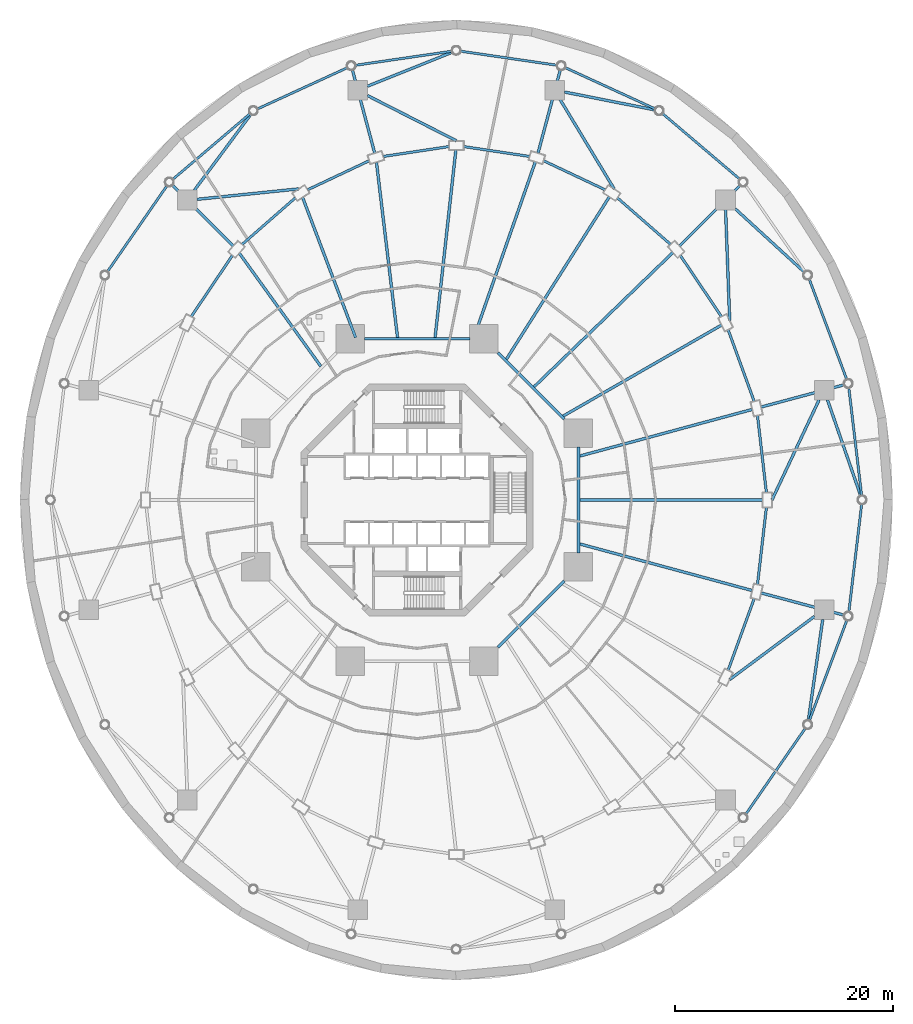
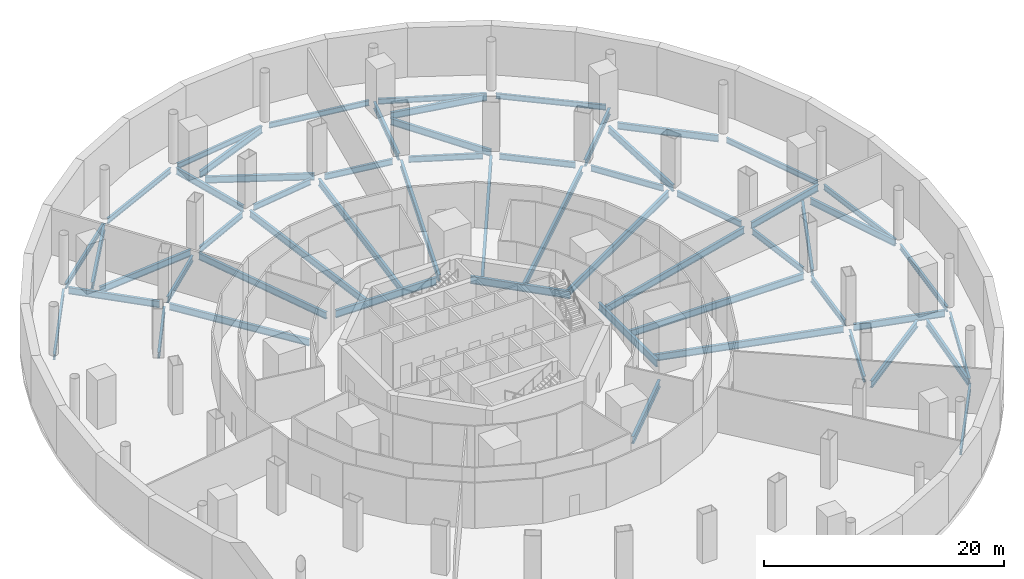
# One storey, part 4 of 14: 57 beams.
"""IFC4 building model written with IfcOpenShell, lengths in metres."""

from ifc_helpers import new_model, si_unit, direction, frame, origin, origin_2d, place, context, subcontext, project, spatial, i_section, extrude, material, material_profile, profile_set, type_object, element, save


model = new_model("IFC4")

# Units and contexts
model_context = context("Model", 3, precision=1e-05, world=origin(), true_north=direction((0.0, 1.0)))
body_context = subcontext(model_context, "Body", "Model", "MODEL_VIEW")
ifc_project = project(units=[si_unit("LENGTHUNIT", "METRE"), si_unit("AREAUNIT", "SQUARE_METRE"), si_unit("VOLUMEUNIT", "CUBIC_METRE"), si_unit("PLANEANGLEUNIT", "RADIAN"), si_unit("MASSUNIT", "GRAM", prefix="KILO")], contexts=[model_context])

# Site, building, storey
site_placement = place(None, origin())
site = spatial("IfcSite", under=ifc_project, at=site_placement, CompositionType="ELEMENT")
building_placement = place(site_placement, origin())
building = spatial("IfcBuilding", under=site, at=building_placement, Name="Nagisa Residences", CompositionType="ELEMENT")
storey_placement = place(building_placement, frame((0.0, 0.0, -5.0)))
storey = spatial("IfcBuildingStorey", under=building, at=storey_placement, Name="B1", CompositionType="ELEMENT", Elevation=-5.0)

# Beams
ifc_material_1 = material(Name="Steel ASTM A572 Gr 50", Category="steel")
ifc_material_profile_1 = material_profile(ifc_material_1, i_section(OverallWidth=0.2529296875, OverallDepth=0.677978515625, WebThickness=0.01171875, FlangeThickness=0.016357421875, at=origin_2d()), Name="W690x125")
ifc_profile_set_1 = profile_set([ifc_material_profile_1], Name="Steel ASTM A572 Gr 50")
beam_type_1 = type_object("IfcBeamType", Name="Atrium outer beam W690x125", PredefinedType="BEAM", material=ifc_profile_set_1)
beam_1_placement = place(storey_placement, frame((32.530029296875, 0.0, -0.739013671875), z_axis=(0.425917471077, 0.904762017235, 0.0), x_axis=(-0.904762017235, 0.425917471077, 0.0)))
element("IfcBeam", 1, at=beam_1_placement, inside=storey, type_object=beam_type_1, Name="beam:B1:er01a", PredefinedType="BEAM", context=body_context, shape_type="SweptSolid", body=[
    extrude(i_section(OverallWidth=0.2529296875, OverallDepth=0.677978515625, WebThickness=0.01171875, FlangeThickness=0.016357421875, at=origin_2d()), origin(), (0.0, 0.0, 1.0), 10.15283203125),
])
beam_2_placement = place(storey_placement, frame((37.6162109375, 9.18701171875, -0.739013671875), z_axis=(0.327439256124, -0.944872231336, 0.0), x_axis=(0.944872231336, 0.327439256124, 0.0)))
element("IfcBeam", 2, at=beam_2_placement, inside=storey, type_object=beam_type_1, Name="beam:B1:er01b", PredefinedType="BEAM", context=body_context, shape_type="SweptSolid", body=[
    extrude(i_section(OverallWidth=0.2529296875, OverallDepth=0.677978515625, WebThickness=0.01171875, FlangeThickness=0.016357421875, at=origin_2d()), origin(), (0.0, 0.0, 1.0), 9.33642578125),
])
beam_3_placement = place(storey_placement, frame((31.54443359375, 8.52294921875, -0.739013671875), z_axis=(0.965928422324, 0.258809356376, 0.0), x_axis=(-0.258809356376, 0.965928422324, 0.0)))
element("IfcBeam", 3, at=beam_3_placement, inside=storey, type_object=beam_type_1, Name="beam:B1:er02", PredefinedType="BEAM", context=body_context, shape_type="SweptSolid", body=[
    extrude(i_section(OverallWidth=0.2529296875, OverallDepth=0.677978515625, WebThickness=0.01171875, FlangeThickness=0.016357421875, at=origin_2d()), origin(), (0.0, 0.0, 1.0), 7.88330078125),
])
beam_4_placement = place(storey_placement, frame((28.65478515625, 16.46533203125, -0.739013671875), z_axis=(-0.037024093308, 0.999314373215, 0.0), x_axis=(-0.999314373215, -0.037024093308, 0.0)))
element("IfcBeam", 4, at=beam_4_placement, inside=storey, type_object=beam_type_1, Name="beam:B1:er03a", PredefinedType="BEAM", context=body_context, shape_type="SweptSolid", body=[
    extrude(i_section(OverallWidth=0.2529296875, OverallDepth=0.677978515625, WebThickness=0.01171875, FlangeThickness=0.016357421875, at=origin_2d()), origin(), (0.0, 0.0, 1.0), 10.168212890625),
])
beam_5_placement = place(storey_placement, frame((29.163330078125, 26.6953125, -0.739013671875), z_axis=(0.737328953927, -0.675533873097, 0.0), x_axis=(0.675533873097, 0.737328953927, 0.0)))
element("IfcBeam", 5, at=beam_5_placement, inside=storey, type_object=beam_type_1, Name="beam:B1:er03b", PredefinedType="BEAM", context=body_context, shape_type="SweptSolid", body=[
    extrude(i_section(OverallWidth=0.2529296875, OverallDepth=0.677978515625, WebThickness=0.01171875, FlangeThickness=0.016357421875, at=origin_2d()), origin(), (0.0, 0.0, 1.0), 8.636474609375),
])
beam_6_placement = place(storey_placement, frame((24.057373046875, 23.28564453125, -0.739013671875), z_axis=(0.707091295005, 0.707122267029, 0.0), x_axis=(-0.707122267029, 0.707091295005, 0.0)))
element("IfcBeam", 6, at=beam_6_placement, inside=storey, type_object=beam_type_1, Name="beam:B1:er04", PredefinedType="BEAM", context=body_context, shape_type="SweptSolid", body=[
    extrude(i_section(OverallWidth=0.2529296875, OverallDepth=0.677978515625, WebThickness=0.01171875, FlangeThickness=0.016357421875, at=origin_2d()), origin(), (0.0, 0.0, 1.0), 7.882568359375),
])
beam_7_placement = place(storey_placement, frame((18.0654296875, 28.518798828125, -0.739013671875), z_axis=(-0.517608225474, 0.855617744628, 0.0), x_axis=(-0.855617744628, -0.517608225474, 0.0)))
element("IfcBeam", 7, at=beam_7_placement, inside=storey, type_object=beam_type_1, Name="beam:B1:er05a", PredefinedType="BEAM", context=body_context, shape_type="SweptSolid", body=[
    extrude(i_section(OverallWidth=0.2529296875, OverallDepth=0.677978515625, WebThickness=0.01171875, FlangeThickness=0.016357421875, at=origin_2d()), origin(), (0.0, 0.0, 1.0), 9.55224609375),
])
beam_8_placement = place(storey_placement, frame((13.51318359375, 37.400146484375, -0.739013671875), z_axis=(0.980959139789, -0.194214227247, 0.0), x_axis=(0.194214227247, 0.980959139789, 0.0)))
element("IfcBeam", 8, at=beam_8_placement, inside=storey, type_object=beam_type_1, Name="beam:B1:er05b", PredefinedType="BEAM", context=body_context, shape_type="SweptSolid", body=[
    extrude(i_section(OverallWidth=0.2529296875, OverallDepth=0.677978515625, WebThickness=0.01171875, FlangeThickness=0.016357421875, at=origin_2d()), origin(), (0.0, 0.0, 1.0), 8.46875),
])
beam_9_placement = place(storey_placement, frame((11.087646484375, 31.80810546875, -0.739013671875), z_axis=(0.258809356376, 0.965928422324, 0.0), x_axis=(-0.965928422324, 0.258809356376, 0.0)))
element("IfcBeam", 9, at=beam_9_placement, inside=storey, type_object=beam_type_1, Name="beam:B1:er06", PredefinedType="BEAM", context=body_context, shape_type="SweptSolid", body=[
    extrude(i_section(OverallWidth=0.2529296875, OverallDepth=0.677978515625, WebThickness=0.01171875, FlangeThickness=0.016357421875, at=origin_2d()), origin(), (0.0, 0.0, 1.0), 7.88330078125),
])
beam_10_placement = place(storey_placement, frame((3.60009765625, 32.929931640625, -0.739013671875), z_axis=(-0.891189998388, 0.453630231327, 0.0), x_axis=(-0.453630231327, -0.891189998388, 0.0)))
element("IfcBeam", 10, at=beam_10_placement, inside=storey, type_object=beam_type_1, Name="beam:B1:er07a", PredefinedType="BEAM", context=body_context, shape_type="SweptSolid", body=[
    extrude(i_section(OverallWidth=0.2529296875, OverallDepth=0.677978515625, WebThickness=0.01171875, FlangeThickness=0.016357421875, at=origin_2d()), origin(), (0.0, 0.0, 1.0), 9.1455078125),
])
beam_11_placement = place(storey_placement, frame((-4.55126953125, 37.92822265625, -0.739013671875), z_axis=(0.928026847912, 0.372513314601, 0.0), x_axis=(-0.372513314601, 0.928026847912, 0.0)))
element("IfcBeam", 11, at=beam_11_placement, inside=storey, type_object=beam_type_1, Name="beam:B1:er07b", PredefinedType="BEAM", context=body_context, shape_type="SweptSolid", body=[
    extrude(i_section(OverallWidth=0.2529296875, OverallDepth=0.677978515625, WebThickness=0.01171875, FlangeThickness=0.016357421875, at=origin_2d()), origin(), (0.0, 0.0, 1.0), 8.396728515625),
])
beam_12_placement = place(storey_placement, frame((-3.8876953125, 31.80810546875, -0.739013671875), z_axis=(-0.258809356376, 0.965928422324, 0.0), x_axis=(-0.965928422324, -0.258809356376, 0.0)))
element("IfcBeam", 12, at=beam_12_placement, inside=storey, type_object=beam_type_1, Name="beam:B1:er08", PredefinedType="BEAM", context=body_context, shape_type="SweptSolid", body=[
    extrude(i_section(OverallWidth=0.2529296875, OverallDepth=0.677978515625, WebThickness=0.01171875, FlangeThickness=0.016357421875, at=origin_2d()), origin(), (0.0, 0.0, 1.0), 7.88330078125),
])
beam_13_placement = place(storey_placement, frame((-10.865478515625, 28.518798828125, -0.739013671875), z_axis=(-0.994767206706, -0.102167531354, 0.0), x_axis=(0.102167531354, -0.994767206706, 0.0)))
element("IfcBeam", 13, at=beam_13_placement, inside=storey, type_object=beam_type_1, Name="beam:B1:er09a", PredefinedType="BEAM", context=body_context, shape_type="SweptSolid", body=[
    extrude(i_section(OverallWidth=0.2529296875, OverallDepth=0.677978515625, WebThickness=0.01171875, FlangeThickness=0.016357421875, at=origin_2d()), origin(), (0.0, 0.0, 1.0), 9.381591796875),
])
beam_14_placement = place(storey_placement, frame((-20.420654296875, 28.390380859375, -0.739013671875), z_axis=(0.596693960534, 0.802468888781, 0.0), x_axis=(-0.802468888781, 0.596693960534, 0.0)))
element("IfcBeam", 14, at=beam_14_placement, inside=storey, type_object=beam_type_1, Name="beam:B1:er09b", PredefinedType="BEAM", context=body_context, shape_type="SweptSolid", body=[
    extrude(i_section(OverallWidth=0.2529296875, OverallDepth=0.677978515625, WebThickness=0.01171875, FlangeThickness=0.016357421875, at=origin_2d()), origin(), (0.0, 0.0, 1.0), 8.69775390625),
])
beam_15_placement = place(storey_placement, frame((-16.857177734375, 23.28564453125, -0.739013671875), z_axis=(-0.707106781187, 0.707106781187, 0.0), x_axis=(-0.707106781187, -0.707106781187, 0.0)))
element("IfcBeam", 15, at=beam_15_placement, inside=storey, type_object=beam_type_1, Name="beam:B1:er10", PredefinedType="BEAM", context=body_context, shape_type="SweptSolid", body=[
    extrude(i_section(OverallWidth=0.2529296875, OverallDepth=0.677978515625, WebThickness=0.01171875, FlangeThickness=0.016357421875, at=origin_2d()), origin(), (0.0, 0.0, 1.0), 7.8828125),
])
beam_16_placement = place(storey_placement, frame((28.65478515625, -16.46533203125, -0.739013671875), z_axis=(0.801821779267, 0.597563247107, 0.0), x_axis=(-0.597563247107, 0.801821779267, 0.0)))
element("IfcBeam", 16, at=beam_16_placement, inside=storey, type_object=beam_type_1, Name="beam:B1:er23a", PredefinedType="BEAM", context=body_context, shape_type="SweptSolid", body=[
    extrude(i_section(OverallWidth=0.2529296875, OverallDepth=0.677978515625, WebThickness=0.01171875, FlangeThickness=0.016357421875, at=origin_2d()), origin(), (0.0, 0.0, 1.0), 9.693603515625),
])
beam_17_placement = place(storey_placement, frame((37.185791015625, -10.9482421875, -0.739013671875), z_axis=(-0.140508564178, -0.990079463171, 0.0), x_axis=(0.990079463171, -0.140508564178, 0.0)))
element("IfcBeam", 17, at=beam_17_placement, inside=storey, type_object=beam_type_1, Name="beam:B1:er23b", PredefinedType="BEAM", context=body_context, shape_type="SweptSolid", body=[
    extrude(i_section(OverallWidth=0.2529296875, OverallDepth=0.677978515625, WebThickness=0.01171875, FlangeThickness=0.016357421875, at=origin_2d()), origin(), (0.0, 0.0, 1.0), 9.36181640625),
])
beam_18_placement = place(storey_placement, frame((31.54443359375, -8.52294921875, -0.739013671875), z_axis=(0.965928422324, -0.258809356376, 0.0), x_axis=(0.258809356376, 0.965928422324, 0.0)))
element("IfcBeam", 18, at=beam_18_placement, inside=storey, type_object=beam_type_1, Name="beam:B1:er24", PredefinedType="BEAM", context=body_context, shape_type="SweptSolid", body=[
    extrude(i_section(OverallWidth=0.2529296875, OverallDepth=0.677978515625, WebThickness=0.01171875, FlangeThickness=0.016357421875, at=origin_2d()), origin(), (0.0, 0.0, 1.0), 7.88330078125),
])
ifc_material_2 = material(Name="Steel ASTM A572 Gr 50", Category="steel")
ifc_material_profile_2 = material_profile(ifc_material_2, i_section(OverallWidth=0.214111328125, OverallDepth=0.549072265625, WebThickness=0.0146484375, FlangeThickness=0.023681640625, at=origin_2d()), Name="W530x138")
ifc_profile_set_2 = profile_set([ifc_material_profile_2], Name="Steel ASTM A572 Gr 50")
beam_type_2 = type_object("IfcBeamType", Name="Atrium ring beam W530x138", PredefinedType="BEAM", material=ifc_profile_set_2)
beam_19_placement = place(storey_placement, frame((40.75439453125, 0.3837890625, -0.674560546875), z_axis=(-0.118035165542, 0.993009415713, 0.0), x_axis=(-0.993009415713, -0.118035165542, 0.0)))
element("IfcBeam", 19, at=beam_19_placement, inside=storey, type_object=beam_type_2, Name="beam:B1:ab01", PredefinedType="BEAM", context=body_context, shape_type="SweptSolid", body=[
    extrude(i_section(OverallWidth=0.214111328125, OverallDepth=0.549072265625, WebThickness=0.0146484375, FlangeThickness=0.023681640625, at=origin_2d()), origin(), (0.0, 0.0, 1.0), 9.96533203125),
])
beam_20_placement = place(storey_placement, frame((39.39697265625, 11.025390625, -0.674560546875), z_axis=(-0.350304540877, 0.936635857012, 0.0), x_axis=(-0.936635857012, -0.350304540877, 0.0)))
element("IfcBeam", 20, at=beam_20_placement, inside=storey, type_object=beam_type_2, Name="beam:B1:ab02", PredefinedType="BEAM", context=body_context, shape_type="SweptSolid", body=[
    extrude(i_section(OverallWidth=0.214111328125, OverallDepth=0.549072265625, WebThickness=0.0146484375, FlangeThickness=0.023681640625, at=origin_2d()), origin(), (0.0, 0.0, 1.0), 9.8359375),
])
beam_21_placement = place(storey_placement, frame((29.60986328125, 29.383056640625, -0.674560546875), z_axis=(-0.761996084448, 0.647581629824, 0.0), x_axis=(-0.647581629824, -0.761996084448, 0.0)))
element("IfcBeam", 21, at=beam_21_placement, inside=storey, type_object=beam_type_2, Name="beam:B1:ab04", PredefinedType="BEAM", context=body_context, shape_type="SweptSolid", body=[
    extrude(i_section(OverallWidth=0.214111328125, OverallDepth=0.549072265625, WebThickness=0.0146484375, FlangeThickness=0.023681640625, at=origin_2d()), origin(), (0.0, 0.0, 1.0), 9.337646484375),
])
beam_22_placement = place(storey_placement, frame((21.8486328125, 35.84130859375, -0.674560546875), z_axis=(-0.908914420706, 0.416982704477, 0.0), x_axis=(-0.416982704477, -0.908914420706, 0.0)))
element("IfcBeam", 22, at=beam_22_placement, inside=storey, type_object=beam_type_2, Name="beam:B1:ab05", PredefinedType="BEAM", context=body_context, shape_type="SweptSolid", body=[
    extrude(i_section(OverallWidth=0.214111328125, OverallDepth=0.549072265625, WebThickness=0.0146484375, FlangeThickness=0.023681640625, at=origin_2d()), origin(), (0.0, 0.0, 1.0), 9.097900390625),
])
beam_23_placement = place(storey_placement, frame((12.845703125, 39.851806640625, -0.674560546875), z_axis=(-0.989534278419, 0.144297996638, 0.0), x_axis=(-0.144297996638, -0.989534278419, 0.0)))
element("IfcBeam", 23, at=beam_23_placement, inside=storey, type_object=beam_type_2, Name="beam:B1:ab06", PredefinedType="BEAM", context=body_context, shape_type="SweptSolid", body=[
    extrude(i_section(OverallWidth=0.214111328125, OverallDepth=0.549072265625, WebThickness=0.0146484375, FlangeThickness=0.023681640625, at=origin_2d()), origin(), (0.0, 0.0, 1.0), 8.95703125),
])
beam_24_placement = place(storey_placement, frame((3.217529296875, 41.144287109375, -0.674560546875), z_axis=(-0.989533710855, -0.144301888694, 0.0), x_axis=(0.144301888694, -0.989533710855, 0.0)))
element("IfcBeam", 24, at=beam_24_placement, inside=storey, type_object=beam_type_2, Name="beam:B1:ab07", PredefinedType="BEAM", context=body_context, shape_type="SweptSolid", body=[
    extrude(i_section(OverallWidth=0.214111328125, OverallDepth=0.549072265625, WebThickness=0.0146484375, FlangeThickness=0.023681640625, at=origin_2d()), origin(), (0.0, 0.0, 1.0), 8.956787109375),
])
beam_25_placement = place(storey_placement, frame((-6.37939453125, 39.635009765625, -0.674560546875), z_axis=(-0.908914420706, -0.416982704477, 0.0), x_axis=(0.416982704477, -0.908914420706, 0.0)))
element("IfcBeam", 25, at=beam_25_placement, inside=storey, type_object=beam_type_2, Name="beam:B1:ab08", PredefinedType="BEAM", context=body_context, shape_type="SweptSolid", body=[
    extrude(i_section(OverallWidth=0.214111328125, OverallDepth=0.549072265625, WebThickness=0.0146484375, FlangeThickness=0.023681640625, at=origin_2d()), origin(), (0.0, 0.0, 1.0), 9.097900390625),
])
beam_26_placement = place(storey_placement, frame((-15.29443359375, 35.429931640625, -0.674560546875), z_axis=(-0.762007048716, -0.647568728173, 0.0), x_axis=(0.647568728173, -0.762007048716, 0.0)))
element("IfcBeam", 26, at=beam_26_placement, inside=storey, type_object=beam_type_2, Name="beam:B1:ab09", PredefinedType="BEAM", context=body_context, shape_type="SweptSolid", body=[
    extrude(i_section(OverallWidth=0.214111328125, OverallDepth=0.549072265625, WebThickness=0.0146484375, FlangeThickness=0.023681640625, at=origin_2d()), origin(), (0.0, 0.0, 1.0), 9.337890625),
])
for number, where, z_axis, x_axis, name in (
    (27, (-22.924560546875, 28.815185546875, -0.674560546875), (-0.569488756983, -0.821999121453, 0.0), (0.821999121453, -0.569488756983, 0.0), "beam:B1:ab10"),
    (28, (30.12451171875, -28.815185546875, -0.674560546875), (0.569488756983, 0.821999121453, 0.0), (-0.821999121453, 0.569488756983, 0.0), "beam:B1:ab22"),
):
    element("IfcBeam", number, at=place(storey_placement, frame(where, z_axis=z_axis, x_axis=x_axis)), inside=storey, type_object=beam_type_2, Name=name, PredefinedType="BEAM", context=body_context, shape_type="SweptSolid", body=[
        extrude(i_section(OverallWidth=0.214111328125, OverallDepth=0.549072265625, WebThickness=0.0146484375, FlangeThickness=0.023681640625, at=origin_2d()), origin(), (0.0, 0.0, 1.0), 9.607666015625),
    ])
beam_27_placement = place(storey_placement, frame((35.951416015625, -20.238037109375, -0.674560546875), z_axis=(0.350304540877, 0.936635857012, 0.0), x_axis=(-0.936635857012, 0.350304540877, 0.0)))
element("IfcBeam", 29, at=beam_27_placement, inside=storey, type_object=beam_type_2, Name="beam:B1:ab23", PredefinedType="BEAM", context=body_context, shape_type="SweptSolid", body=[
    extrude(i_section(OverallWidth=0.214111328125, OverallDepth=0.549072265625, WebThickness=0.0146484375, FlangeThickness=0.023681640625, at=origin_2d()), origin(), (0.0, 0.0, 1.0), 9.8359375),
])
beam_28_placement = place(storey_placement, frame((39.578125, -10.279541015625, -0.674560546875), z_axis=(0.118035165542, 0.993009415713, 0.0), x_axis=(-0.993009415713, 0.118035165542, 0.0)))
element("IfcBeam", 30, at=beam_28_placement, inside=storey, type_object=beam_type_2, Name="beam:B1:ab24", PredefinedType="BEAM", context=body_context, shape_type="SweptSolid", body=[
    extrude(i_section(OverallWidth=0.214111328125, OverallDepth=0.549072265625, WebThickness=0.0146484375, FlangeThickness=0.023681640625, at=origin_2d()), origin(), (0.0, 0.0, 1.0), 9.96533203125),
])
ifc_material_3 = material(Name="Steel ASTM A572 Gr 50", Category="steel")
ifc_material_profile_3 = material_profile(ifc_material_3, i_section(OverallWidth=0.264892578125, OverallDepth=0.7529296875, WebThickness=0.01318359375, FlangeThickness=0.01708984375, at=origin_2d()), Name="W760x147")
ifc_profile_set_3 = profile_set([ifc_material_profile_3], Name="Steel ASTM A572 Gr 50")
beam_type_3 = type_object("IfcBeamType", Name="Inner ring beam W760x147", PredefinedType="BEAM", material=ifc_profile_set_3)
beam_29_placement = place(storey_placement, frame((13.49609375, 7.40869140625, -0.776611328125), z_axis=(-0.707106781187, 0.707106781187, 0.0), x_axis=(-0.707106781187, -0.707106781187, 0.0)))
element("IfcBeam", 31, at=beam_29_placement, inside=storey, type_object=beam_type_3, Name="beam:B1:ib1", PredefinedType="BEAM", context=body_context, shape_type="SweptSolid", body=[
    extrude(i_section(OverallWidth=0.264892578125, OverallDepth=0.7529296875, WebThickness=0.01318359375, FlangeThickness=0.01708984375, at=origin_2d()), origin(), (0.0, 0.0, 1.0), 8.60888671875),
])
beam_30_placement = place(storey_placement, frame((4.843017578125, 14.781982421875, -0.776611328125), z_axis=(-1.0, 0.0, 0.0), x_axis=(0.0, -1.0, 0.0)))
element("IfcBeam", 32, at=beam_30_placement, inside=storey, type_object=beam_type_3, Name="beam:B1:ib2", PredefinedType="BEAM", context=body_context, shape_type="SweptSolid", body=[
    extrude(i_section(OverallWidth=0.264892578125, OverallDepth=0.7529296875, WebThickness=0.01318359375, FlangeThickness=0.01708984375, at=origin_2d()), origin(), (0.0, 0.0, 1.0), 9.68603515625),
])
beam_31_placement = place(storey_placement, frame((7.40869140625, -13.49609375, -0.776611328125), z_axis=(0.707106781187, 0.707106781187, 0.0), x_axis=(-0.707106781187, 0.707106781187, 0.0)))
element("IfcBeam", 33, at=beam_31_placement, inside=storey, type_object=beam_type_3, Name="beam:B1:ib7", PredefinedType="BEAM", context=body_context, shape_type="SweptSolid", body=[
    extrude(i_section(OverallWidth=0.264892578125, OverallDepth=0.7529296875, WebThickness=0.01318359375, FlangeThickness=0.01708984375, at=origin_2d()), origin(), (0.0, 0.0, 1.0), 8.60888671875),
])
beam_32_placement = place(storey_placement, frame((14.781982421875, -4.843017578125, -0.776611328125), z_axis=(0.0, 1.0, 0.0), x_axis=(-1.0, 0.0, 0.0)))
element("IfcBeam", 34, at=beam_32_placement, inside=storey, type_object=beam_type_3, Name="beam:B1:ib8", PredefinedType="BEAM", context=body_context, shape_type="SweptSolid", body=[
    extrude(i_section(OverallWidth=0.264892578125, OverallDepth=0.7529296875, WebThickness=0.01318359375, FlangeThickness=0.01708984375, at=origin_2d()), origin(), (0.0, 0.0, 1.0), 9.68603515625),
])
ifc_material_4 = material(Name="Steel ASTM A572 Gr 50", Category="steel")
ifc_material_profile_4 = material_profile(ifc_material_4, i_section(OverallWidth=0.22802734375, OverallDepth=0.60302734375, WebThickness=0.010498046875, FlangeThickness=0.014892578125, at=origin_2d()), Name="W610x101")
ifc_profile_set_4 = profile_set([ifc_material_profile_4], Name="Steel ASTM A572 Gr 50")
beam_type_4 = type_object("IfcBeamType", Name="Perimeter ring beam W610x101", PredefinedType="BEAM", material=ifc_profile_set_4)
beam_33_placement = place(storey_placement, frame((32.021484375, 0.68017578125, -0.701416015625), z_axis=(-0.114673717321, 0.993403210462, 0.0), x_axis=(-0.993403210462, -0.114673717321, 0.0)))
element("IfcBeam", 35, at=beam_33_placement, inside=storey, type_object=beam_type_4, Name="beam:B1:pb01", PredefinedType="BEAM", context=body_context, shape_type="SweptSolid", body=[
    extrude(i_section(OverallWidth=0.22802734375, OverallDepth=0.60302734375, WebThickness=0.010498046875, FlangeThickness=0.014892578125, at=origin_2d()), origin(), (0.0, 0.0, 1.0), 7.09814453125),
])
beam_34_placement = place(storey_placement, frame((30.89501953125, 9.055419921875, -0.701416015625), z_axis=(-0.341411143183, 0.939914055279, 0.0), x_axis=(-0.939914055279, -0.341411143183, 0.0)))
element("IfcBeam", 36, at=beam_34_placement, inside=storey, type_object=beam_type_4, Name="beam:B1:pb02", PredefinedType="BEAM", context=body_context, shape_type="SweptSolid", body=[
    extrude(i_section(OverallWidth=0.22802734375, OverallDepth=0.60302734375, WebThickness=0.010498046875, FlangeThickness=0.014892578125, at=origin_2d()), origin(), (0.0, 0.0, 1.0), 6.96923828125),
])
beam_35_placement = place(storey_placement, frame((27.899169921875, 16.818603515625, -0.701416015625), z_axis=(-0.558271879663, 0.829658067144, 0.0), x_axis=(-0.829658067144, -0.558271879663, 0.0)))
element("IfcBeam", 37, at=beam_35_placement, inside=storey, type_object=beam_type_4, Name="beam:B1:pb03", PredefinedType="BEAM", context=body_context, shape_type="SweptSolid", body=[
    extrude(i_section(OverallWidth=0.22802734375, OverallDepth=0.60302734375, WebThickness=0.010498046875, FlangeThickness=0.014892578125, at=origin_2d()), origin(), (0.0, 0.0, 1.0), 6.74169921875),
])
beam_36_placement = place(storey_placement, frame((23.236328125, 23.432861328125, -0.701416015625), z_axis=(-0.7525907186, 0.658488580217, 0.0), x_axis=(-0.658488580217, -0.7525907186, 0.0)))
element("IfcBeam", 38, at=beam_36_placement, inside=storey, type_object=beam_type_4, Name="beam:B1:pb04", PredefinedType="BEAM", context=body_context, shape_type="SweptSolid", body=[
    extrude(i_section(OverallWidth=0.22802734375, OverallDepth=0.60302734375, WebThickness=0.010498046875, FlangeThickness=0.014892578125, at=origin_2d()), origin(), (0.0, 0.0, 1.0), 6.470458984375),
])
beam_37_placement = place(storey_placement, frame((17.22900390625, 28.439208984375, -0.701416015625), z_axis=(-0.904215426643, 0.427076646774, 0.0), x_axis=(-0.427076646774, -0.904215426643, 0.0)))
element("IfcBeam", 39, at=beam_37_placement, inside=storey, type_object=beam_type_4, Name="beam:B1:pb05", PredefinedType="BEAM", context=body_context, shape_type="SweptSolid", body=[
    extrude(i_section(OverallWidth=0.22802734375, OverallDepth=0.60302734375, WebThickness=0.010498046875, FlangeThickness=0.014892578125, at=origin_2d()), origin(), (0.0, 0.0, 1.0), 6.2275390625),
])
for number, where, z_axis, x_axis, name in (
    (40, (10.29638671875, 31.49462890625, -0.701416015625), (-0.988914559467, 0.14848566959, 0.0), (-0.14848566959, -0.988914559467, 0.0), "beam:B1:pb06"),
    (41, (2.919677734375, 32.39794921875, -0.701416015625), (-0.988914559467, -0.14848566959, 0.0), (0.14848566959, -0.988914559467, 0.0), "beam:B1:pb07"),
):
    element("IfcBeam", number, at=place(storey_placement, frame(where, z_axis=z_axis, x_axis=x_axis)), inside=storey, type_object=beam_type_4, Name=name, PredefinedType="BEAM", context=body_context, shape_type="SweptSolid", body=[
        extrude(i_section(OverallWidth=0.22802734375, OverallDepth=0.60302734375, WebThickness=0.010498046875, FlangeThickness=0.014892578125, at=origin_2d()), origin(), (0.0, 0.0, 1.0), 6.08349609375),
    ])
beam_38_placement = place(storey_placement, frame((-4.39794921875, 31.098876953125, -0.701416015625), z_axis=(-0.904208275867, -0.427091786216, 0.0), x_axis=(0.427091786216, -0.904208275867, 0.0)))
element("IfcBeam", 42, at=beam_38_placement, inside=storey, type_object=beam_type_4, Name="beam:B1:pb08", PredefinedType="BEAM", context=body_context, shape_type="SweptSolid", body=[
    extrude(i_section(OverallWidth=0.22802734375, OverallDepth=0.60302734375, WebThickness=0.010498046875, FlangeThickness=0.014892578125, at=origin_2d()), origin(), (0.0, 0.0, 1.0), 6.227294921875),
])
beam_39_placement = place(storey_placement, frame((-11.166748046875, 27.693603515625, -0.701416015625), z_axis=(-0.752574357292, -0.658507279191, 0.0), x_axis=(0.658507279191, -0.752574357292, 0.0)))
element("IfcBeam", 43, at=beam_39_placement, inside=storey, type_object=beam_type_4, Name="beam:B1:pb09", PredefinedType="BEAM", context=body_context, shape_type="SweptSolid", body=[
    extrude(i_section(OverallWidth=0.22802734375, OverallDepth=0.60302734375, WebThickness=0.010498046875, FlangeThickness=0.014892578125, at=origin_2d()), origin(), (0.0, 0.0, 1.0), 6.47021484375),
])
beam_40_placement = place(storey_placement, frame((-16.935302734375, 22.411865234375, -0.701416015625), z_axis=(-0.558296806041, -0.829641293792, 0.0), x_axis=(0.829641293792, -0.558296806041, 0.0)))
element("IfcBeam", 44, at=beam_40_placement, inside=storey, type_object=beam_type_4, Name="beam:B1:pb10", PredefinedType="BEAM", context=body_context, shape_type="SweptSolid", body=[
    extrude(i_section(OverallWidth=0.22802734375, OverallDepth=0.60302734375, WebThickness=0.010498046875, FlangeThickness=0.014892578125, at=origin_2d()), origin(), (0.0, 0.0, 1.0), 6.74169921875),
])
beam_41_placement = place(storey_placement, frame((28.515625, -15.60595703125, -0.701416015625), z_axis=(0.341411143183, 0.939914055279, 0.0), x_axis=(-0.939914055279, 0.341411143183, 0.0)))
element("IfcBeam", 45, at=beam_41_placement, inside=storey, type_object=beam_type_4, Name="beam:B1:pb23", PredefinedType="BEAM", context=body_context, shape_type="SweptSolid", body=[
    extrude(i_section(OverallWidth=0.22802734375, OverallDepth=0.60302734375, WebThickness=0.010498046875, FlangeThickness=0.014892578125, at=origin_2d()), origin(), (0.0, 0.0, 1.0), 6.96923828125),
])
beam_42_placement = place(storey_placement, frame((31.20751953125, -7.7314453125, -0.701416015625), z_axis=(0.114673717321, 0.993403210462, 0.0), x_axis=(-0.993403210462, 0.114673717321, 0.0)))
element("IfcBeam", 46, at=beam_42_placement, inside=storey, type_object=beam_type_4, Name="beam:B1:pb24", PredefinedType="BEAM", context=body_context, shape_type="SweptSolid", body=[
    extrude(i_section(OverallWidth=0.22802734375, OverallDepth=0.60302734375, WebThickness=0.010498046875, FlangeThickness=0.014892578125, at=origin_2d()), origin(), (0.0, 0.0, 1.0), 7.09814453125),
])
ifc_material_5 = material(Name="Steel ASTM A572 Gr 50", Category="steel")
ifc_material_profile_5 = material_profile(ifc_material_5, i_section(OverallWidth=0.25390625, OverallDepth=0.68408203125, WebThickness=0.012451171875, FlangeThickness=0.018798828125, at=origin_2d()), Name="W690x140")
ifc_profile_set_5 = profile_set([ifc_material_profile_5], Name="Steel ASTM A572 Gr 50")
beam_type_5 = type_object("IfcBeamType", Name="Radial beam W690x140", PredefinedType="BEAM", material=ifc_profile_set_5)
beam_43_placement = place(storey_placement, frame((31.669921875, 0.0, -0.741943359375), z_axis=(-1.0, 0.0, 0.0), x_axis=(0.0, -1.0, 0.0)))
element("IfcBeam", 47, at=beam_43_placement, inside=storey, type_object=beam_type_5, Name="beam:B1:rb01", PredefinedType="BEAM", context=body_context, shape_type="SweptSolid", body=[
    extrude(i_section(OverallWidth=0.25390625, OverallDepth=0.68408203125, WebThickness=0.012451171875, FlangeThickness=0.018798828125, at=origin_2d()), origin(), (0.0, 0.0, 1.0), 16.775390625),
])
beam_44_placement = place(storey_placement, frame((30.713623046875, 8.29931640625, -0.741943359375), z_axis=(-0.965375968847, -0.260862490162, 0.0), x_axis=(0.260862490162, -0.965375968847, 0.0)))
element("IfcBeam", 48, at=beam_44_placement, inside=storey, type_object=beam_type_5, Name="beam:B1:rb02", PredefinedType="BEAM", context=body_context, shape_type="SweptSolid", body=[
    extrude(i_section(OverallWidth=0.25390625, OverallDepth=0.68408203125, WebThickness=0.012451171875, FlangeThickness=0.018798828125, at=origin_2d()), origin(), (0.0, 0.0, 1.0), 16.3857421875),
])
beam_45_placement = place(storey_placement, frame((27.908447265625, 16.035400390625, -0.741943359375), z_axis=(-0.867068052258, -0.498189715623, 0.0), x_axis=(0.498189715623, -0.867068052258, 0.0)))
element("IfcBeam", 49, at=beam_45_placement, inside=storey, type_object=beam_type_5, Name="beam:B1:rb03", PredefinedType="BEAM", context=body_context, shape_type="SweptSolid", body=[
    extrude(i_section(OverallWidth=0.25390625, OverallDepth=0.68408203125, WebThickness=0.012451171875, FlangeThickness=0.018798828125, at=origin_2d()), origin(), (0.0, 0.0, 1.0), 16.758056640625),
])
beam_46_placement = place(storey_placement, frame((23.443115234375, 22.681640625, -0.741943359375), z_axis=(-0.718678305776, -0.695342716081, 0.0), x_axis=(0.695342716081, -0.718678305776, 0.0)))
element("IfcBeam", 50, at=beam_46_placement, inside=storey, type_object=beam_type_5, Name="beam:B1:rb04", PredefinedType="BEAM", context=body_context, shape_type="SweptSolid", body=[
    extrude(i_section(OverallWidth=0.25390625, OverallDepth=0.68408203125, WebThickness=0.012451171875, FlangeThickness=0.018798828125, at=origin_2d()), origin(), (0.0, 0.0, 1.0), 17.722900390625),
])
beam_47_placement = place(storey_placement, frame((17.61962890625, 27.78271484375, -0.741943359375), z_axis=(-0.53556610664, -0.844493306911, 0.0), x_axis=(0.844493306911, -0.53556610664, 0.0)))
element("IfcBeam", 51, at=beam_47_placement, inside=storey, type_object=beam_type_5, Name="beam:B1:rb05", PredefinedType="BEAM", context=body_context, shape_type="SweptSolid", body=[
    extrude(i_section(OverallWidth=0.25390625, OverallDepth=0.68408203125, WebThickness=0.012451171875, FlangeThickness=0.018798828125, at=origin_2d()), origin(), (0.0, 0.0, 1.0), 17.63525390625),
])
beam_48_placement = place(storey_placement, frame((10.834228515625, 30.986328125, -0.741943359375), z_axis=(-0.330051195485, -0.943963033364, 0.0), x_axis=(0.943963033364, -0.330051195485, 0.0)))
element("IfcBeam", 52, at=beam_48_placement, inside=storey, type_object=beam_type_5, Name="beam:B1:rb06", PredefinedType="BEAM", context=body_context, shape_type="SweptSolid", body=[
    extrude(i_section(OverallWidth=0.25390625, OverallDepth=0.68408203125, WebThickness=0.012451171875, FlangeThickness=0.018798828125, at=origin_2d()), origin(), (0.0, 0.0, 1.0), 17.045654296875),
])
beam_49_placement = place(storey_placement, frame((3.55224609375, 32.06982421875, -0.741943359375), z_axis=(-0.110088818647, -0.993921753464, 0.0), x_axis=(0.993921753464, -0.110088818647, 0.0)))
element("IfcBeam", 53, at=beam_49_placement, inside=storey, type_object=beam_type_5, Name="beam:B1:rb07", PredefinedType="BEAM", context=body_context, shape_type="SweptSolid", body=[
    extrude(i_section(OverallWidth=0.25390625, OverallDepth=0.68408203125, WebThickness=0.012451171875, FlangeThickness=0.018798828125, at=origin_2d()), origin(), (0.0, 0.0, 1.0), 17.280029296875),
])
beam_50_placement = place(storey_placement, frame((-3.72412109375, 30.958740234375, -0.741943359375), z_axis=(0.119431411612, -0.992842453726, 0.0), x_axis=(0.992842453726, 0.119431411612, 0.0)))
element("IfcBeam", 54, at=beam_50_placement, inside=storey, type_object=beam_type_5, Name="beam:B1:rb08", PredefinedType="BEAM", context=body_context, shape_type="SweptSolid", body=[
    extrude(i_section(OverallWidth=0.25390625, OverallDepth=0.68408203125, WebThickness=0.012451171875, FlangeThickness=0.018798828125, at=origin_2d()), origin(), (0.0, 0.0, 1.0), 16.1796875),
])
beam_51_placement = place(storey_placement, frame((-10.493896484375, 27.7333984375, -0.741943359375), z_axis=(0.353887892206, -0.935287848606, 0.0), x_axis=(0.935287848606, 0.353887892206, 0.0)))
element("IfcBeam", 55, at=beam_51_placement, inside=storey, type_object=beam_type_5, Name="beam:B1:rb09", PredefinedType="BEAM", context=body_context, shape_type="SweptSolid", body=[
    extrude(i_section(OverallWidth=0.25390625, OverallDepth=0.68408203125, WebThickness=0.012451171875, FlangeThickness=0.018798828125, at=origin_2d()), origin(), (0.0, 0.0, 1.0), 13.725830078125),
])
beam_52_placement = place(storey_placement, frame((-16.29443359375, 22.62255859375, -0.741943359375), z_axis=(0.58445507622, -0.811426068031, 0.0), x_axis=(0.811426068031, 0.58445507622, 0.0)))
element("IfcBeam", 56, at=beam_52_placement, inside=storey, type_object=beam_type_5, Name="beam:B1:rb10", PredefinedType="BEAM", context=body_context, shape_type="SweptSolid", body=[
    extrude(i_section(OverallWidth=0.25390625, OverallDepth=0.68408203125, WebThickness=0.012451171875, FlangeThickness=0.018798828125, at=origin_2d()), origin(), (0.0, 0.0, 1.0), 12.78955078125),
])
beam_53_placement = place(storey_placement, frame((30.713623046875, -8.29931640625, -0.741943359375), z_axis=(-0.965375968847, 0.260862490162, 0.0), x_axis=(-0.260862490162, -0.965375968847, 0.0)))
element("IfcBeam", 57, at=beam_53_placement, inside=storey, type_object=beam_type_5, Name="beam:B1:rb24", PredefinedType="BEAM", context=body_context, shape_type="SweptSolid", body=[
    extrude(i_section(OverallWidth=0.25390625, OverallDepth=0.68408203125, WebThickness=0.012451171875, FlangeThickness=0.018798828125, at=origin_2d()), origin(), (0.0, 0.0, 1.0), 16.3857421875),
])

save(model, "model.ifc")
